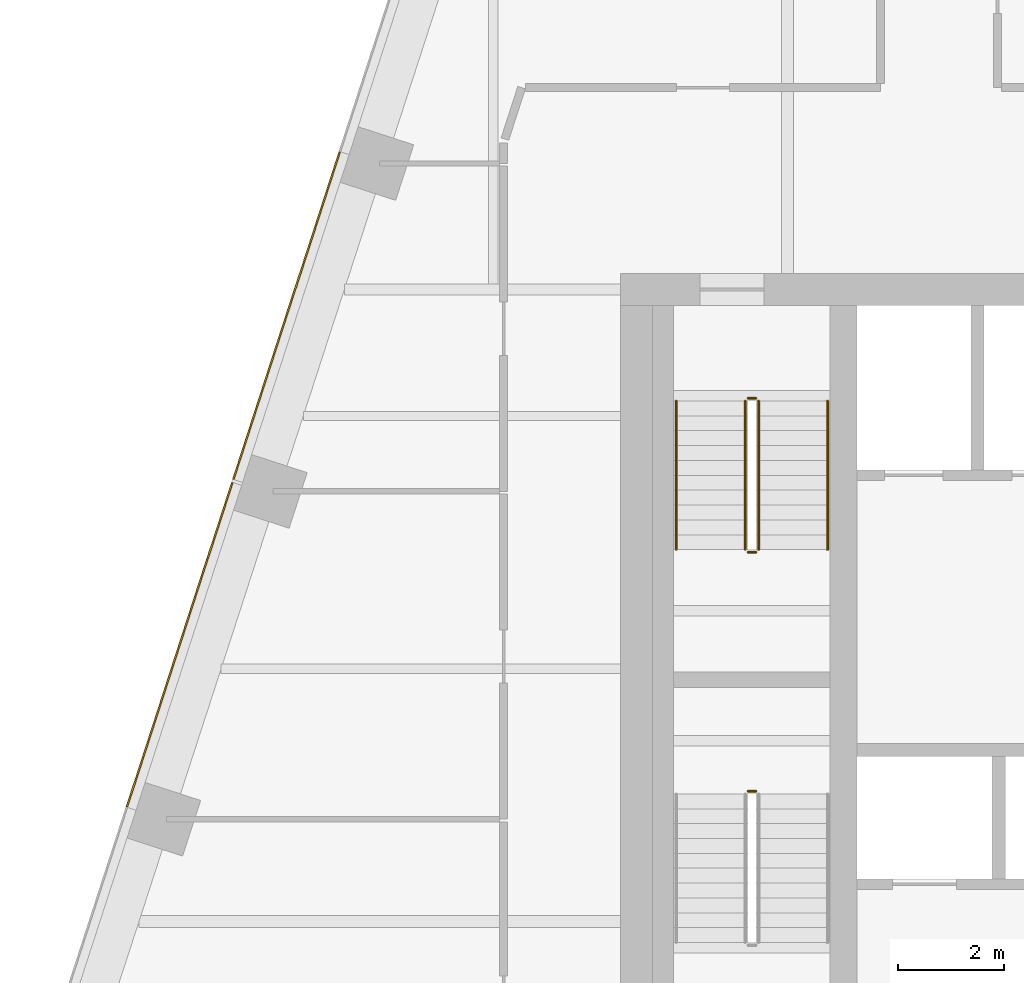
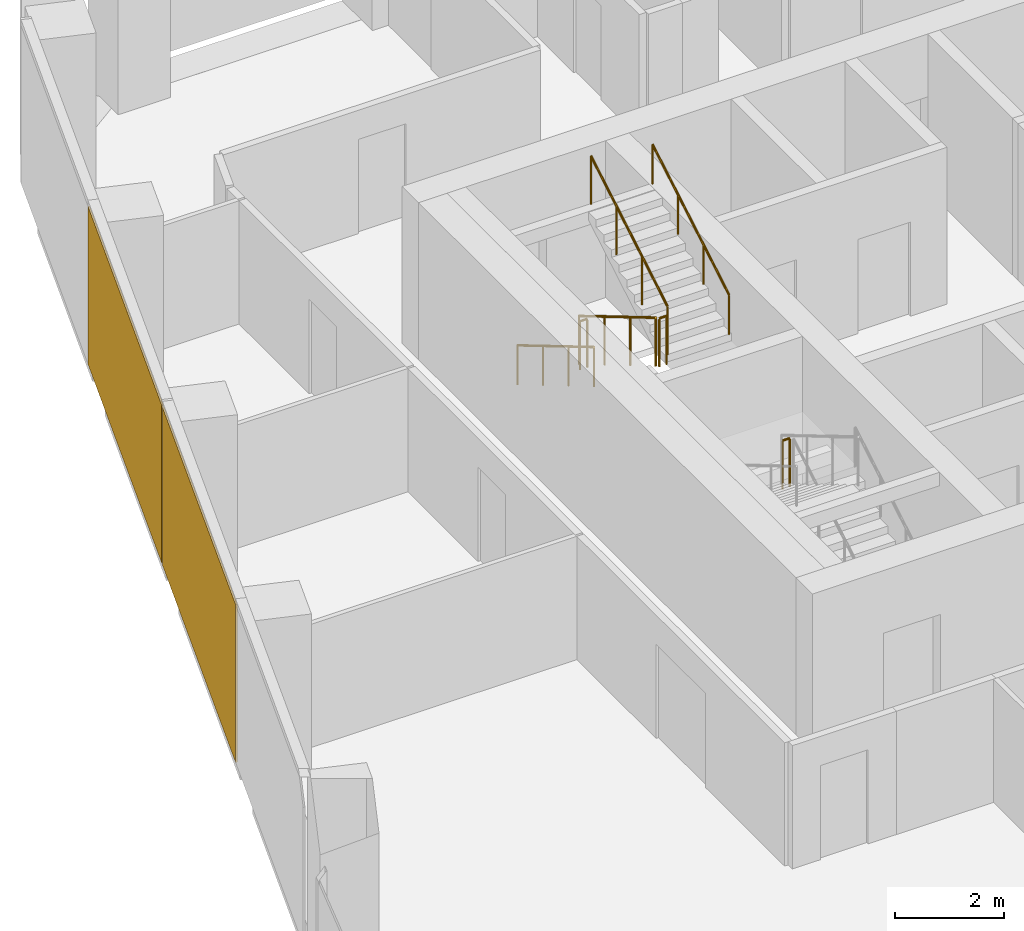
# One storey, part 14 of 15: 7 railings, 2 coverings, 1 element without a shape of its own.
"""IFC4 building model written with IfcOpenShell, lengths in metres."""

from ifc_helpers import new_model, si_unit, direction, frame, origin, origin_2d, place, context, subcontext, project, spatial, rectangle, circle, extrude, material, layer, layer_set, type_object, element, aggregate, save


model = new_model("IFC4")

# Units and contexts
model_context = context("Model", 3, precision=1e-05, world=origin(), true_north=direction((0.0, 1.0)))
body_context = subcontext(model_context, "Body", "Model", "MODEL_VIEW")
ifc_project = project(units=[si_unit("LENGTHUNIT", "METRE"), si_unit("AREAUNIT", "SQUARE_METRE"), si_unit("VOLUMEUNIT", "CUBIC_METRE"), si_unit("PLANEANGLEUNIT", "RADIAN"), si_unit("MASSUNIT", "GRAM", prefix="KILO")], contexts=[model_context])

# Site, building, storey
site_placement = place(None, origin())
site = spatial("IfcSite", under=ifc_project, at=site_placement, CompositionType="ELEMENT")
building_placement = place(site_placement, origin())
building = spatial("IfcBuilding", under=site, at=building_placement, Name="Isthmus Gate Tower", CompositionType="ELEMENT")
storey_placement = place(building_placement, frame((0.0, 0.0, 230.89990234375)))
storey = spatial("IfcBuildingStorey", under=building, at=storey_placement, Name="L58", CompositionType="ELEMENT", Elevation=230.89990234375)

# Curtain wall, coverings
ifc_material_1 = material(Name="Aluminium, pale champagne anodised", Category="aluminium")
ifc_layer_1 = layer(ifc_material_1, 0.199951171875)
ifc_layer_set_1 = layer_set([ifc_layer_1], Name="CW-1 UNITISED CURTAIN WALL 200 DEEP")
curtain_wall_type = type_object("IfcCurtainWallType", Name="CW-1 UNITISED CURTAIN WALL 200 DEEP", PredefinedType="NOTDEFINED", material=ifc_layer_set_1)
curtain_wall_placement = place(storey_placement, origin())
curtain_wall = element("IfcCurtainWall", 1, at=curtain_wall_placement, inside=storey, type_object=curtain_wall_type, Name="CW-1 NW L58", PredefinedType="NOTDEFINED")
ifc_material_2 = material(Name="Aluminium composite panel, pale champagne anodised", Category="aluminium")
ifc_layer_2 = layer(ifc_material_2, 0.031982421875)
ifc_layer_set_2 = layer_set([ifc_layer_2], Name="CW-1 PALE METAL PANEL 32")
covering_type = type_object("IfcCoveringType", Name="CW-1 PALE METAL PANEL 32", PredefinedType="CLADDING", material=ifc_layer_set_2)
covering_1_placement = place(storey_placement, frame((-21.288330078125, 14.210693359375, 0.0), z_axis=(0.0, 0.0, 1.0), x_axis=(-0.309016994375, -0.951056516295, 0.0)))
covering_1 = element("IfcCovering", 2, at=covering_1_placement, type_object=covering_type, Name="CW-1 pale metal panel", PredefinedType="CLADDING", context=body_context, shape_type="SweptSolid", body=[
    extrude(rectangle(XDim=6.491943359375, YDim=0.031982421875, at=origin_2d()), origin(), (0.0, 0.0, 1.0), 3.52001953125),
])
covering_2_placement = place(storey_placement, frame((-23.3037109375, 8.0078125, 0.0), z_axis=(0.0, 0.0, 1.0), x_axis=(-0.309016994375, -0.951056516295, 0.0)))
covering_2 = element("IfcCovering", 3, at=covering_2_placement, type_object=covering_type, Name="CW-1 pale metal panel", PredefinedType="CLADDING", context=body_context, shape_type="SweptSolid", body=[
    extrude(rectangle(XDim=6.431884765625, YDim=0.031982421875, at=origin_2d()), origin(), (0.0, 0.0, 1.0), 3.52001953125),
])
aggregate(curtain_wall, [covering_1, covering_2])

# Railings
ifc_material_3 = material(Name="Stainless steel balustrade", Category="steel")
railing_type_1 = type_object("IfcRailingType", Name="STAIR GUARD 1100", PredefinedType="GUARDRAIL", material=ifc_material_3)
railing_1_placement = place(storey_placement, frame((-12.64990234375, 12.60009765625, 0.166015625)))
element("IfcRailing", 4, at=railing_1_placement, inside=storey, type_object=railing_type_1, Name="L58 ST1 stair guard 1", PredefinedType="GUARDRAIL", context=body_context, shape_type="SweptSolid", body=[
    extrude(circle(Radius=0.02392578125, at=origin_2d()), frame((0.0, 0.0, 1.076171875), z_axis=(0.0, -0.860306154799, 0.50977771628), x_axis=(1.0, 0.0, 0.0)), (0.0, 0.0, 1.0), 3.254638671875),
    extrude(circle(Radius=0.02099609375, at=origin_2d()), origin(), (0.0, 0.0, 1.0), 1.052001953125),
    extrude(circle(Radius=0.02099609375, at=origin_2d()), frame((0.0, -0.933349609375, 0.552978515625)), (0.0, 0.0, 1.0), 1.052001953125),
    extrude(circle(Radius=0.02099609375, at=origin_2d()), frame((0.0, -1.86669921875, 1.106201171875)), (0.0, 0.0, 1.0), 1.052001953125),
    extrude(circle(Radius=0.02099609375, at=origin_2d()), frame((0.0, -2.800048828125, 1.6591796875)), (0.0, 0.0, 1.0), 1.052001953125),
])
railing_2_placement = place(storey_placement, frame((-12.60009765625, 9.75, 1.8251953125)))
element("IfcRailing", 5, at=railing_2_placement, inside=storey, type_object=railing_type_1, Name="L58 ST1 stair guard 2", PredefinedType="GUARDRAIL", context=body_context, shape_type="SweptSolid", body=[
    extrude(circle(Radius=0.02392578125, at=origin_2d()), frame((0.0, 0.0, 1.076171875), z_axis=(1.0, 0.0, 0.0), x_axis=(0.0, 1.0, 0.0)), (0.0, 0.0, 1.0), 0.150146484375),
    extrude(circle(Radius=0.02099609375, at=origin_2d()), origin(), (0.0, 0.0, 1.0), 1.052001953125),
    extrude(circle(Radius=0.02099609375, at=origin_2d()), frame((0.150146484375, 0.0, 0.0)), (0.0, 0.0, 1.0), 1.052001953125),
])
railing_3_placement = place(storey_placement, frame((-12.39990234375, 9.800048828125, 1.990966796875)))
element("IfcRailing", 6, at=railing_3_placement, inside=storey, type_object=railing_type_1, Name="L58 ST1 stair guard 3", PredefinedType="GUARDRAIL", context=body_context, shape_type="SweptSolid", body=[
    extrude(circle(Radius=0.02392578125, at=origin_2d()), frame((0.0, 0.0, 1.076171875), z_axis=(0.0, 0.860306154799, 0.50977771628), x_axis=(-1.0, 0.0, 0.0)), (0.0, 0.0, 1.0), 3.254638671875),
    extrude(circle(Radius=0.02099609375, at=origin_2d()), origin(), (0.0, 0.0, 1.0), 1.052001953125),
    extrude(circle(Radius=0.02099609375, at=origin_2d()), frame((0.0, 0.933349609375, 0.552978515625)), (0.0, 0.0, 1.0), 1.052001953125),
    extrude(circle(Radius=0.02099609375, at=origin_2d()), frame((0.0, 1.86669921875, 1.106201171875)), (0.0, 0.0, 1.0), 1.052001953125),
    extrude(circle(Radius=0.02099609375, at=origin_2d()), frame((0.0, 2.800048828125, 1.6591796875)), (0.0, 0.0, 1.0), 1.052001953125),
])
railing_4_placement = place(storey_placement, frame((-12.60009765625, 12.64990234375, 0.0)))
element("IfcRailing", 7, at=railing_4_placement, inside=storey, type_object=railing_type_1, Name="L58 ST1 stair guard 4", PredefinedType="GUARDRAIL", context=body_context, shape_type="SweptSolid", body=[
    extrude(circle(Radius=0.02392578125, at=origin_2d()), frame((0.0, 0.0, 1.076171875), z_axis=(1.0, 0.0, 0.0), x_axis=(0.0, 1.0, 0.0)), (0.0, 0.0, 1.0), 0.150146484375),
    extrude(circle(Radius=0.02099609375, at=origin_2d()), origin(), (0.0, 0.0, 1.0), 1.052001953125),
    extrude(circle(Radius=0.02099609375, at=origin_2d()), frame((0.150146484375, 0.0, 0.0)), (0.0, 0.0, 1.0), 1.052001953125),
])
railing_5_placement = place(storey_placement, frame((-12.449951171875, 5.25, 1.8251953125)))
element("IfcRailing", 8, at=railing_5_placement, inside=storey, type_object=railing_type_1, Name="L58 ST7 stair guard 2", PredefinedType="GUARDRAIL", context=body_context, shape_type="SweptSolid", body=[
    extrude(circle(Radius=0.02392578125, at=origin_2d()), frame((0.0, 0.0, 1.076171875), z_axis=(-1.0, 0.0, 0.0), x_axis=(0.0, -1.0, 0.0)), (0.0, 0.0, 1.0), 0.150146484375),
    extrude(circle(Radius=0.02099609375, at=origin_2d()), origin(), (0.0, 0.0, 1.0), 1.052001953125),
    extrude(circle(Radius=0.02099609375, at=origin_2d()), frame((-0.150146484375, 0.0, 0.0)), (0.0, 0.0, 1.0), 1.052001953125),
])
ifc_material_4 = material(Name="Stainless steel handrail", Category="steel")
railing_type_2 = type_object("IfcRailingType", Name="STAIR HANDRAIL 900", PredefinedType="HANDRAIL", material=ifc_material_4)
railing_6_placement = place(storey_placement, frame((-13.949951171875, 12.60009765625, 0.166015625)))
element("IfcRailing", 9, at=railing_6_placement, inside=storey, type_object=railing_type_2, Name="L58 ST1 stair handrail 1", PredefinedType="HANDRAIL", context=body_context, shape_type="SweptSolid", body=[
    extrude(circle(Radius=0.02392578125, at=origin_2d()), frame((0.0, 0.0, 0.8759765625), z_axis=(0.0, -0.860306154799, 0.50977771628), x_axis=(1.0, 0.0, 0.0)), (0.0, 0.0, 1.0), 3.254638671875),
    extrude(circle(Radius=0.02099609375, at=origin_2d()), origin(), (0.0, 0.0, 1.0), 0.851806640625),
    extrude(circle(Radius=0.02099609375, at=origin_2d()), frame((0.0, -0.933349609375, 0.552978515625)), (0.0, 0.0, 1.0), 0.851806640625),
    extrude(circle(Radius=0.02099609375, at=origin_2d()), frame((0.0, -1.86669921875, 1.106201171875)), (0.0, 0.0, 1.0), 0.851806640625),
    extrude(circle(Radius=0.02099609375, at=origin_2d()), frame((0.0, -2.800048828125, 1.6591796875)), (0.0, 0.0, 1.0), 0.851806640625),
])
railing_7_placement = place(storey_placement, frame((-11.10009765625, 9.800048828125, 1.990966796875)))
element("IfcRailing", 10, at=railing_7_placement, inside=storey, type_object=railing_type_2, Name="L58 ST1 stair handrail 2", PredefinedType="HANDRAIL", context=body_context, shape_type="SweptSolid", body=[
    extrude(circle(Radius=0.02392578125, at=origin_2d()), frame((0.0, 0.0, 0.8759765625), z_axis=(0.0, 0.860306154799, 0.50977771628), x_axis=(-1.0, 0.0, 0.0)), (0.0, 0.0, 1.0), 3.254638671875),
    extrude(circle(Radius=0.02099609375, at=origin_2d()), origin(), (0.0, 0.0, 1.0), 0.851806640625),
    extrude(circle(Radius=0.02099609375, at=origin_2d()), frame((0.0, 0.933349609375, 0.552978515625)), (0.0, 0.0, 1.0), 0.851806640625),
    extrude(circle(Radius=0.02099609375, at=origin_2d()), frame((0.0, 1.86669921875, 1.106201171875)), (0.0, 0.0, 1.0), 0.851806640625),
    extrude(circle(Radius=0.02099609375, at=origin_2d()), frame((0.0, 2.800048828125, 1.6591796875)), (0.0, 0.0, 1.0), 0.851806640625),
])

save(model, "model.ifc")
